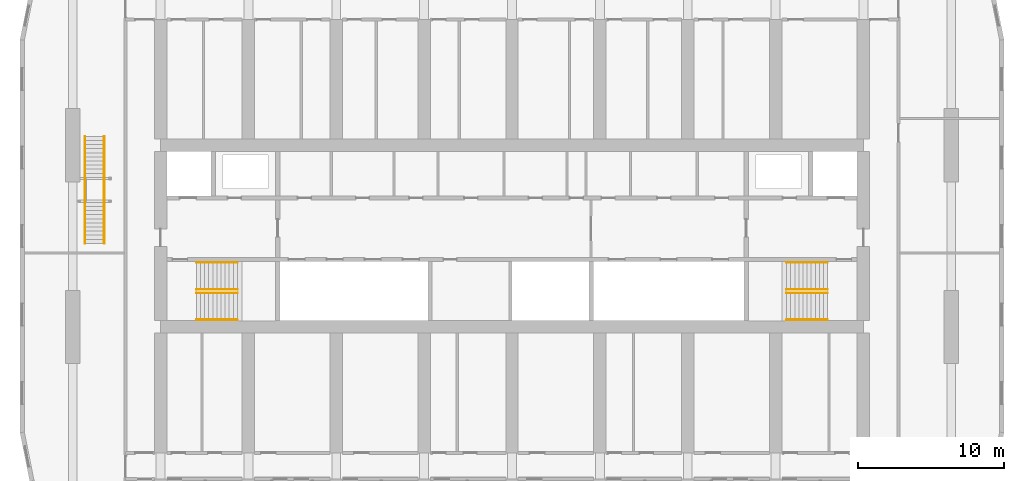
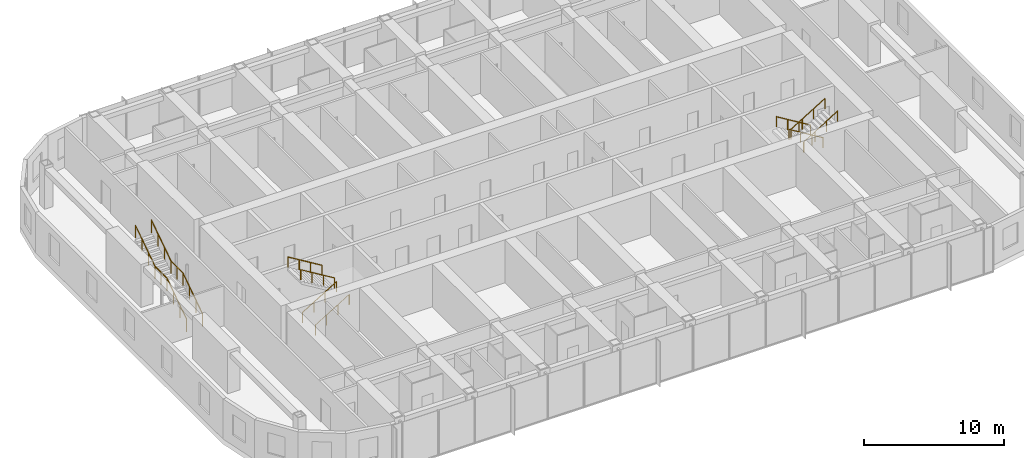
# One storey, part 28 of 28: 10 railings.
"""IFC4 building model written with IfcOpenShell, lengths in metres."""

from ifc_helpers import new_model, si_unit, direction, frame, origin, origin_2d, place, context, subcontext, project, spatial, circle, extrude, material, type_object, element, save


model = new_model("IFC4")

# Units and contexts
model_context = context("Model", 3, precision=1e-05, world=origin(), true_north=direction((0.0, 1.0)))
body_context = subcontext(model_context, "Body", "Model", "MODEL_VIEW")
ifc_project = project(units=[si_unit("LENGTHUNIT", "METRE"), si_unit("AREAUNIT", "SQUARE_METRE"), si_unit("VOLUMEUNIT", "CUBIC_METRE"), si_unit("PLANEANGLEUNIT", "RADIAN"), si_unit("MASSUNIT", "GRAM", prefix="KILO")], contexts=[model_context])

# Site, building, storey
site_placement = place(None, origin())
site = spatial("IfcSite", under=ifc_project, at=site_placement, CompositionType="ELEMENT")
building_placement = place(site_placement, origin())
building = spatial("IfcBuilding", under=site, at=building_placement, Name="Orbita Commons", CompositionType="ELEMENT")
storey_placement = place(building_placement, frame((0.0, 0.0, 193.60009765625)))
storey = spatial("IfcBuildingStorey", under=building, at=storey_placement, Name="L48", CompositionType="ELEMENT", Elevation=193.60009765625)

# Railings
ifc_material_1 = material(Name="Laminated glass, steel handrail", Category="steel")
railing_type_1 = type_object("IfcRailingType", Name="Feature stair balustrade, glass on steel stringer 1100", PredefinedType="BALUSTRADE", material=ifc_material_1)
for number, where, name in (
    (1, (12.840087890625, 31.5, 0.0), "Neighbourhood stair L48 to L49 balustrade L"),
    (2, (14.159912109375, 31.5, 0.0), "Neighbourhood stair L48 to L49 balustrade R"),
):
    element("IfcRailing", number, at=place(storey_placement, frame(where)), inside=storey, type_object=railing_type_1, Name=name, PredefinedType="BALUSTRADE", context=body_context, shape_type="SweptSolid", body=[
        extrude(circle(Radius=0.02490234375, at=origin_2d()), frame((0.0, 0.0, 1.0751953125), z_axis=(0.0, 0.830911662861, 0.55640435703), x_axis=(-1.0, 0.0, 0.0)), (0.0, 0.0, 1.0), 3.369873046875),
        extrude(circle(Radius=0.02490234375, at=origin_2d()), frame((0.0, 2.800048828125, 2.9501953125), z_axis=(0.0, 1.0, 0.0), x_axis=(-1.0, 0.0, 0.0)), (0.0, 0.0, 1.0), 1.7099609375),
        extrude(circle(Radius=0.02490234375, at=origin_2d()), frame((0.0, 4.510009765625, 2.9501953125), z_axis=(0.0, 0.830911662861, 0.55640435703), x_axis=(-1.0, 0.0, 0.0)), (0.0, 0.0, 1.0), 3.369873046875),
        extrude(circle(Radius=0.02001953125, at=origin_2d()), origin(), (0.0, 0.0, 1.0), 1.050048828125),
        extrude(circle(Radius=0.02001953125, at=origin_2d()), frame((0.0, 0.933349609375, 0.625)), (0.0, 0.0, 1.0), 1.050048828125),
        extrude(circle(Radius=0.02001953125, at=origin_2d()), frame((0.0, 1.86669921875, 1.25)), (0.0, 0.0, 1.0), 1.050048828125),
        extrude(circle(Radius=0.02001953125, at=origin_2d()), frame((0.0, 2.800048828125, 1.875)), (0.0, 0.0, 1.0), 1.050048828125),
        extrude(circle(Radius=0.02001953125, at=origin_2d()), frame((0.0, 3.655029296875, 1.875)), (0.0, 0.0, 1.0), 1.050048828125),
        extrude(circle(Radius=0.02001953125, at=origin_2d()), frame((0.0, 4.510009765625, 1.875)), (0.0, 0.0, 1.0), 1.050048828125),
        extrude(circle(Radius=0.02001953125, at=origin_2d()), frame((0.0, 5.443359375, 2.5)), (0.0, 0.0, 1.0), 1.050048828125),
        extrude(circle(Radius=0.02001953125, at=origin_2d()), frame((0.0, 6.376708984375, 3.125)), (0.0, 0.0, 1.0), 1.050048828125),
        extrude(circle(Radius=0.02001953125, at=origin_2d()), frame((0.0, 7.31005859375, 3.75)), (0.0, 0.0, 1.0), 1.050048828125),
    ])
ifc_material_2 = material(Name="Steel tube, painted", Category="steel")
railing_type_2 = type_object("IfcRailingType", Name="Stair handrail steel tube 900", PredefinedType="HANDRAIL", material=ifc_material_2)
for number, where, name in (
    (3, (20.449951171875, 28.114990234375, 0.17041015625), "Stair S1 handrail L48 flight 1"),
    (4, (20.449951171875, 26.284912109375, 0.17041015625), "Stair S1 handrail L48 flight 1"),
):
    element("IfcRailing", number, at=place(storey_placement, frame(where)), inside=storey, type_object=railing_type_2, Name=name, PredefinedType="HANDRAIL", context=body_context, shape_type="SweptSolid", body=[
        extrude(circle(Radius=0.02099609375, at=origin_2d()), frame((0.0, 0.0, 0.87890625), z_axis=(0.854169791009, 0.0, 0.51999420009), x_axis=(0.0, 1.0, 0.0)), (0.0, 0.0, 1.0), 3.278076171875),
        extrude(circle(Radius=0.02001953125, at=origin_2d()), origin(), (0.0, 0.0, 1.0), 0.85791015625),
        extrude(circle(Radius=0.02001953125, at=origin_2d()), frame((0.933349609375, 0.0, 0.568115234375)), (0.0, 0.0, 1.0), 0.85791015625),
        extrude(circle(Radius=0.02001953125, at=origin_2d()), frame((1.86669921875, 0.0, 1.136474609375)), (0.0, 0.0, 1.0), 0.85791015625),
        extrude(circle(Radius=0.02001953125, at=origin_2d()), frame((2.800048828125, 0.0, 1.70458984375)), (0.0, 0.0, 1.0), 0.85791015625),
    ])
for number, where, name in (
    (5, (23.25, 28.360107421875, 2.04541015625), "Stair S1 handrail L48 flight 2"),
    (6, (23.25, 30.18994140625, 2.04541015625), "Stair S1 handrail L48 flight 2"),
    (7, (63.550048828125, 28.360107421875, 0.17041015625), "Stair S2 handrail L48 flight 1"),
    (8, (63.550048828125, 30.18994140625, 0.17041015625), "Stair S2 handrail L48 flight 1"),
):
    element("IfcRailing", number, at=place(storey_placement, frame(where)), inside=storey, type_object=railing_type_2, Name=name, PredefinedType="HANDRAIL", context=body_context, shape_type="SweptSolid", body=[
        extrude(circle(Radius=0.02099609375, at=origin_2d()), frame((0.0, 0.0, 0.87890625), z_axis=(-0.854169791009, 0.0, 0.51999420009), x_axis=(0.0, -1.0, 0.0)), (0.0, 0.0, 1.0), 3.278076171875),
        extrude(circle(Radius=0.02001953125, at=origin_2d()), origin(), (0.0, 0.0, 1.0), 0.85791015625),
        extrude(circle(Radius=0.02001953125, at=origin_2d()), frame((-0.933349609375, 0.0, 0.568115234375)), (0.0, 0.0, 1.0), 0.85791015625),
        extrude(circle(Radius=0.02001953125, at=origin_2d()), frame((-1.86669921875, 0.0, 1.136474609375)), (0.0, 0.0, 1.0), 0.85791015625),
        extrude(circle(Radius=0.02001953125, at=origin_2d()), frame((-2.800048828125, 0.0, 1.70458984375)), (0.0, 0.0, 1.0), 0.85791015625),
    ])
for number, where, name in (
    (9, (60.75, 28.114990234375, 2.04541015625), "Stair S2 handrail L48 flight 2"),
    (10, (60.75, 26.284912109375, 2.04541015625), "Stair S2 handrail L48 flight 2"),
):
    element("IfcRailing", number, at=place(storey_placement, frame(where)), inside=storey, type_object=railing_type_2, Name=name, PredefinedType="HANDRAIL", context=body_context, shape_type="SweptSolid", body=[
        extrude(circle(Radius=0.02099609375, at=origin_2d()), frame((0.0, 0.0, 0.87890625), z_axis=(0.854169791009, 0.0, 0.51999420009), x_axis=(0.0, 1.0, 0.0)), (0.0, 0.0, 1.0), 3.278076171875),
        extrude(circle(Radius=0.02001953125, at=origin_2d()), origin(), (0.0, 0.0, 1.0), 0.85791015625),
        extrude(circle(Radius=0.02001953125, at=origin_2d()), frame((0.933349609375, 0.0, 0.568115234375)), (0.0, 0.0, 1.0), 0.85791015625),
        extrude(circle(Radius=0.02001953125, at=origin_2d()), frame((1.86669921875, 0.0, 1.136474609375)), (0.0, 0.0, 1.0), 0.85791015625),
        extrude(circle(Radius=0.02001953125, at=origin_2d()), frame((2.800048828125, 0.0, 1.70458984375)), (0.0, 0.0, 1.0), 0.85791015625),
    ])

save(model, "model.ifc")
